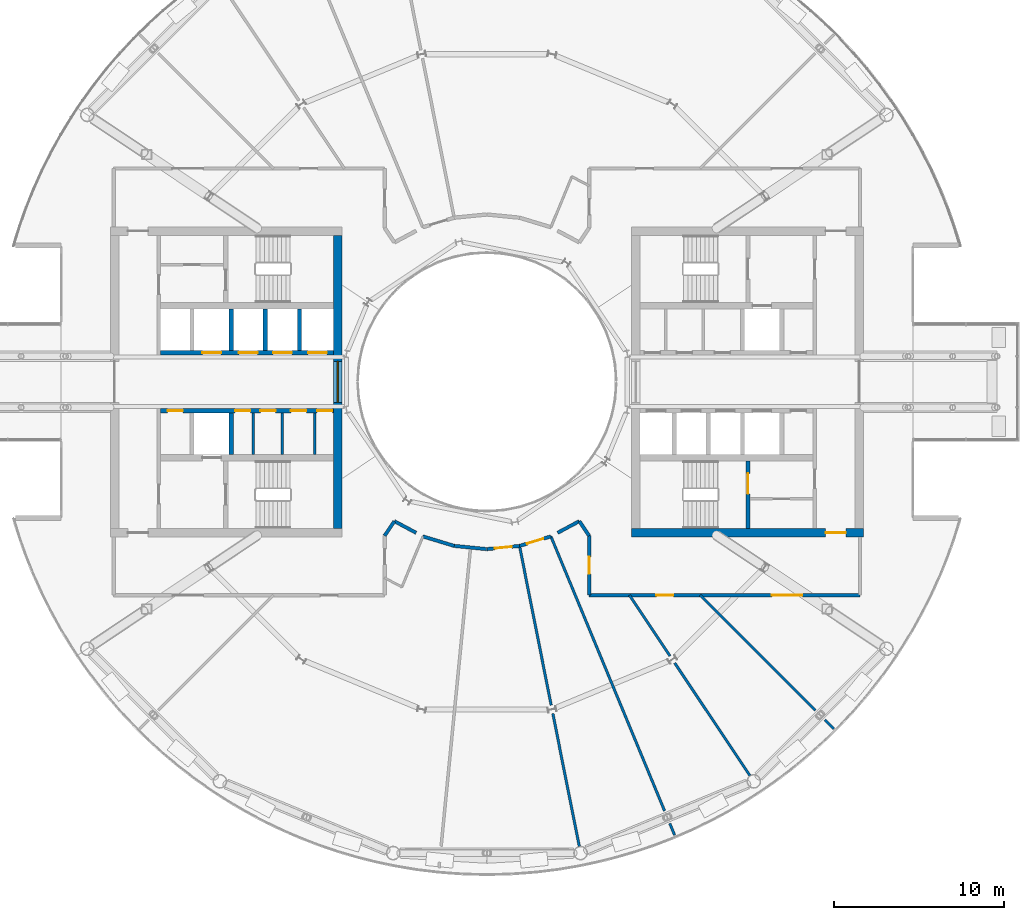
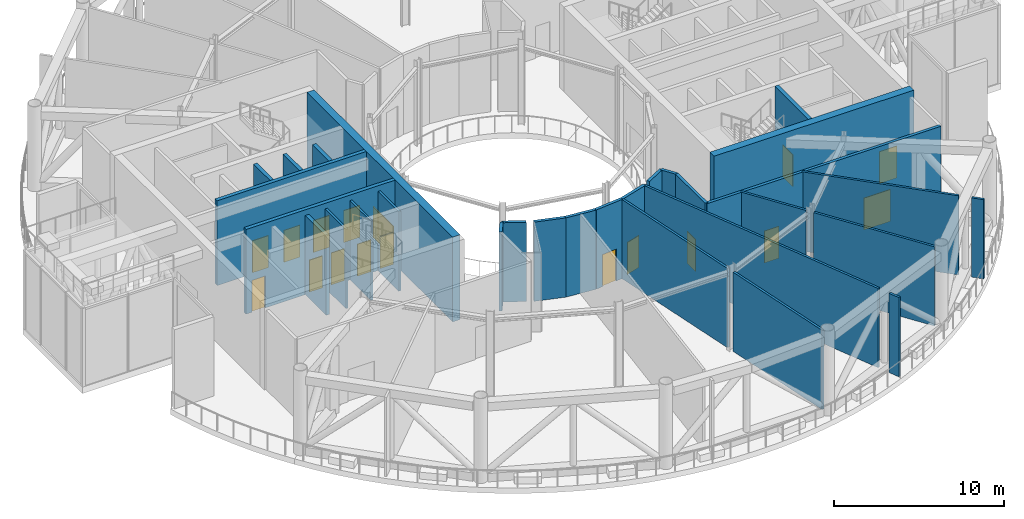
# One storey, part 13 of 24: 30 walls, 16 doors, 1 window, 17 openings.
"""IFC4 building model written with IfcOpenShell, lengths in metres."""

import ifcopenshell
import ifcopenshell.guid

model = None  # the IFC model being written
_history = None  # IfcOwnerHistory: only IFC2X3 demands one
_inside = {}  # id of a spatial element -> (the spatial element, [elements in it])
_under = {}  # id of a project, library or spatial element -> (it, [spatial elements below it])
_declared = {}  # id of a project -> (the project, [libraries it declares])
_typed = {}  # id of a type object -> (the type object, [elements of that type])
_made_of = {}  # id of a material, layer set ... -> (it, [elements and type objects made of it])


def new_model(schema):
    """Start an empty IFC model of exactly this schema.

    Asked for "IFC4X3", IfcOpenShell would pick the latest addendum, in which some entities
    have other attributes; the version numbers below select the first issue.
    IFC2X3 requires an IfcOwnerHistory on every rooted entity: one is made here for all.
    """
    global model, _history
    if schema == "IFC4X3":
        model = ifcopenshell.file(schema_version=(4, 3, 0, 0))
    else:
        model = ifcopenshell.file(schema=schema)
    _inside.clear()
    _under.clear()
    _declared.clear()
    _typed.clear()
    _made_of.clear()
    _history = None
    if model.schema == "IFC2X3":
        org = make("IfcOrganization", Name="unknown")
        user = make(
            "IfcPersonAndOrganization",
            ThePerson=make("IfcPerson", FamilyName="unknown"),
            TheOrganization=org,
        )
        app = make(
            "IfcApplication",
            ApplicationDeveloper=org,
            Version="unknown",
            ApplicationFullName="unknown",
            ApplicationIdentifier="unknown",
        )
        _history = make(
            "IfcOwnerHistory",
            OwningUser=user,
            OwningApplication=app,
            ChangeAction="ADDED",
            CreationDate=0,
        )
    return model


def make(cls, **values):
    """One entity of the class cls with the attributes given. An attribute that is None is left unset."""
    return model.create_entity(
        cls, **{name: value for name, value in values.items() if value is not None}
    )


def rooted(cls, **values):
    """An entity with a GlobalId (a new one), such as an element, a storey or a relation."""
    return make(cls, GlobalId=ifcopenshell.guid.new(), OwnerHistory=_history, **values)


def si_unit(unit_type, name, prefix=None):
    """IfcSIUnit, for example si_unit("LENGTHUNIT", "METRE", prefix="MILLI")."""
    return make("IfcSIUnit", UnitType=unit_type, Prefix=prefix, Name=name)


def assignment(units):
    """IfcUnitAssignment: the units of a project."""
    return None if units is None else make("IfcUnitAssignment", Units=units)


def point(xyz):
    """IfcCartesianPoint."""
    return None if xyz is None else make("IfcCartesianPoint", Coordinates=xyz)


def direction(xyz):
    """IfcDirection."""
    return None if xyz is None else make("IfcDirection", DirectionRatios=xyz)


def frame(location, z_axis=None, x_axis=None):
    """IfcAxis2Placement3D, a coordinate frame: its origin and axes. An axis left out is left unset."""
    return make(
        "IfcAxis2Placement3D",
        Location=point(location),
        Axis=direction(z_axis),
        RefDirection=direction(x_axis),
    )


def frame_2d(location, x_axis=None):
    """IfcAxis2Placement2D, a coordinate frame in the plane: its origin and x axis."""
    return make(
        "IfcAxis2Placement2D", Location=point(location), RefDirection=direction(x_axis)
    )


def origin():
    """The frame at (0, 0, 0) with its axes left unset."""
    return frame((0.0, 0.0, 0.0))


def place(relative_to, where):
    """IfcLocalPlacement: puts the frame where relative to a parent placement (None: the world)."""
    return make(
        "IfcLocalPlacement", PlacementRelTo=relative_to, RelativePlacement=where
    )


def context(
    kind, dimensions, precision=None, world=None, true_north=None, identifier=None
):
    """IfcGeometricRepresentationContext, for example the 3D "Model" context."""
    return make(
        "IfcGeometricRepresentationContext",
        ContextIdentifier=identifier,
        ContextType=kind,
        CoordinateSpaceDimension=dimensions,
        Precision=precision,
        WorldCoordinateSystem=world,
        TrueNorth=true_north,
    )


def subcontext(parent, identifier, kind, view, scale=None):
    """IfcGeometricRepresentationSubContext, for example "Body" below "Model"."""
    return make(
        "IfcGeometricRepresentationSubContext",
        ContextIdentifier=identifier,
        ContextType=kind,
        ParentContext=parent,
        TargetScale=scale,
        TargetView=view,
    )


def project(units=None, contexts=None):
    """IfcProject with its units and contexts."""
    return rooted(
        "IfcProject",
        Name="project",
        RepresentationContexts=contexts,
        UnitsInContext=assignment(units),
    )


def spatial(cls, under=None, at=None, **own):
    """A site, building, storey or space (cls), placed at a placement, below another one or the project."""
    s = rooted(cls, ObjectPlacement=at, **own)
    if under is not None:
        _under.setdefault(under.id(), (under, []))[1].append(s)
    return s


def profile(cls, at=None, kind="AREA", **sizes):
    """A parametric profile (cls). Its sizes go by their IFC names, for example OverallWidth=200.0."""
    return make(cls, ProfileType=kind, Position=at, **sizes)


def rectangle(**sizes):
    """IfcRectangleProfileDef."""
    return profile("IfcRectangleProfileDef", **sizes)


def extrude(swept, where, along, depth):
    """IfcExtrudedAreaSolid: the profile swept, set in the frame where, extruded along a direction by depth."""
    return make(
        "IfcExtrudedAreaSolid",
        SweptArea=swept,
        Position=where,
        ExtrudedDirection=direction(along),
        Depth=depth,
    )


def shape(context_of_items, identifier, shape_type, items):
    """IfcShapeRepresentation: the items that make up one representation, for example the "Body"."""
    return make(
        "IfcShapeRepresentation",
        ContextOfItems=context_of_items,
        RepresentationIdentifier=identifier,
        RepresentationType=shape_type,
        Items=items,
    )


def material(Name=None, Category=None):
    """IfcMaterial."""
    return make("IfcMaterial", Name=Name, Category=Category)


def layer(
    of_material, thickness, ventilated=None, Name=None, Category=None, Priority=None
):
    """IfcMaterialLayer: one layer of a wall or slab, of a material (None: an air gap)."""
    return make(
        "IfcMaterialLayer",
        Material=of_material,
        LayerThickness=thickness,
        IsVentilated=ventilated,
        Name=Name,
        Category=Category,
        Priority=Priority,
    )


def layer_set(layers, Name=None):
    """IfcMaterialLayerSet."""
    return make("IfcMaterialLayerSet", MaterialLayers=layers, LayerSetName=Name)


def made_of(thing, what):
    """Note that an element or type object is made of a material, layer set ...; save() writes the relation."""
    if what is not None:
        _made_of.setdefault(what.id(), (what, []))[1].append(thing)
    return thing


def type_object(cls, material=None, **own):
    """A type object (cls), such as IfcWallType, which elements share."""
    return made_of(rooted(cls, **own), material)


def element(
    cls,
    number,
    at=None,
    inside=None,
    cuts=None,
    type_object=None,
    material=None,
    context=None,
    identifier="Body",
    shape_type=None,
    held_by="IfcProductDefinitionShape",
    body=None,
    shapes=None,
    **own,
):
    """One element of the class cls, such as IfcWall. Its Tag is "e" and its number.

    at: its placement. inside: the storey or other place that contains it. cuts: it is an
    opening in that element (IfcRelVoidsElement). A single representation is given by context,
    identifier, shape_type and body (its items); several are given by shapes. held_by: the class
    of the entity that holds the representations. save() writes the other relations.
    """
    e = rooted(cls, Tag="e%d" % number, ObjectPlacement=at, **own)
    if body is not None:
        shapes = [shape(context, identifier, shape_type, body)]
    if shapes is not None:
        e.Representation = make(held_by, Representations=shapes)
    if inside is not None:
        _inside.setdefault(inside.id(), (inside, []))[1].append(e)
    if cuts is not None:
        rooted(
            "IfcRelVoidsElement", RelatingBuildingElement=cuts, RelatedOpeningElement=e
        )
    if type_object is not None:
        _typed.setdefault(type_object.id(), (type_object, []))[1].append(e)
    return made_of(e, material)


def fill(opening, filler):
    """IfcRelFillsElement: the door or window that sits in an opening."""
    return rooted(
        "IfcRelFillsElement",
        RelatingOpeningElement=opening,
        RelatedBuildingElement=filler,
    )


def aggregate(whole, parts):
    """IfcRelAggregates: a whole, such as a stair, and the parts it consists of."""
    return rooted("IfcRelAggregates", RelatingObject=whole, RelatedObjects=parts)


def save(model, path):
    """Write the relations noted so far, then the file.

    IfcRelAggregates (storeys below a building ...), IfcRelContainedInSpatialStructure (elements
    in a storey), IfcRelDefinesByType, IfcRelAssociatesMaterial and IfcRelDeclares: one each for
    every whole, place, type object, material and project.
    """
    for whole, parts in _under.values():
        aggregate(whole, parts)
    for where, things in _inside.values():
        rooted(
            "IfcRelContainedInSpatialStructure",
            RelatedElements=things,
            RelatingStructure=where,
        )
    for kind, things in _typed.values():
        rooted("IfcRelDefinesByType", RelatedObjects=things, RelatingType=kind)
    for what, things in _made_of.values():
        rooted("IfcRelAssociatesMaterial", RelatedObjects=things, RelatingMaterial=what)
    for by, libraries in _declared.values():
        rooted("IfcRelDeclares", RelatingContext=by, RelatedDefinitions=libraries)
    model.write(path)


model = new_model("IFC4")

# Units and contexts
model_context = context("Model", 3, precision=1e-05, world=origin(), true_north=direction((0.0, 1.0)))
body_context = subcontext(model_context, "Body", "Model", "MODEL_VIEW")
ifc_project = project(units=[si_unit("LENGTHUNIT", "METRE"), si_unit("AREAUNIT", "SQUARE_METRE"), si_unit("VOLUMEUNIT", "CUBIC_METRE"), si_unit("PLANEANGLEUNIT", "RADIAN"), si_unit("MASSUNIT", "GRAM", prefix="KILO")], contexts=[model_context])

# Site, building, storey
site_placement = place(None, origin())
site = spatial("IfcSite", under=ifc_project, at=site_placement, CompositionType="ELEMENT")
building_placement = place(site_placement, origin())
building = spatial("IfcBuilding", under=site, at=building_placement, Name="Maasbend Ring Residences", CompositionType="ELEMENT")
storey_placement = place(building_placement, frame((0.0, 0.0, 179.89990234375)))
storey = spatial("IfcBuildingStorey", under=building, at=storey_placement, Name="L52", CompositionType="ELEMENT", Elevation=179.89990234375)

# Wall, opening, door
ifc_material_1 = material(Name="Concrete C60/75", Category="concrete")
ifc_layer_1 = layer(ifc_material_1, 0.25)
ifc_layer_set_1 = layer_set([ifc_layer_1], Name="Concrete C60/75")
wall_type_1 = type_object("IfcWallType", Name="CORE WALL 250 C60/75", PredefinedType="SHEAR", material=ifc_layer_set_1)
wall_1_placement = place(storey_placement, frame((15.324951171875, -8.60009765625, 0.0), z_axis=(0.0, 0.0, 1.0), x_axis=(0.0, 1.0, 0.0)))
wall_1 = element("IfcWall", 1, at=wall_1_placement, inside=storey, type_object=wall_type_1, Name="L52 core E wall STES", PredefinedType="SHEAR", context=body_context, shape_type="SweptSolid", body=[
    extrude(rectangle(XDim=3.9501953125, YDim=0.25, at=frame_2d((1.97509765625, 0.0))), origin(), (0.0, 0.0, 1.0), 6.10009765625),
])
opening_1_placement = place(wall_1_placement, frame((2.02490234375, 0.0, 0.0)))
opening_1 = element("IfcOpeningElement", 2, at=opening_1_placement, cuts=wall_1, Name="Opening D-E5213", PredefinedType="OPENING", context=body_context, shape_type="SweptSolid", body=[
    extrude(rectangle(XDim=1.199951171875, YDim=2.300048828125, at=frame_2d((0.60009765625, 1.14990234375))), frame((0.0, 0.135009765625, 0.0), z_axis=(0.0, -1.0, 0.0), x_axis=(1.0, 0.0, 0.0)), (0.0, 0.0, 1.0), 0.27001953125),
])
ifc_material_2 = material(Name="Steel, powder coated", Category="steel")
door_type_1 = type_object("IfcDoorType", Name="STAIR DOOR 1200 X 2300 FD60", OperationType="NOTDEFINED", PredefinedType="DOOR", material=ifc_material_2)
door_1_placement = place(opening_1_placement, origin())
door_1 = element("IfcDoor", 3, at=door_1_placement, inside=storey, type_object=door_type_1, Name="Stair door ST-E L52", OperationType="SINGLE_SWING_LEFT", OverallHeight=2.300048828125, OverallWidth=1.199951171875, PredefinedType="DOOR", context=body_context, shape_type="SweptSolid", body=[
    extrude(rectangle(XDim=1.199951171875, YDim=2.300048828125, at=frame_2d((0.60009765625, 1.14990234375))), frame((0.0, 0.02490234375, 0.0), z_axis=(0.0, -1.0, 0.0), x_axis=(1.0, 0.0, 0.0)), (0.0, 0.0, 1.0), 0.050048828125),
])
fill(opening_1, door_1)

# Wall, openings, doors
wall_2_placement = place(storey_placement, frame((-9.0, -1.699951171875, 0.0), z_axis=(0.0, 0.0, 1.0), x_axis=(-1.0, 0.0, 0.0)))
wall_2 = element("IfcWall", 4, at=wall_2_placement, inside=storey, type_object=wall_type_1, Name="L52 core W wall SPN", PredefinedType="SHEAR", context=body_context, shape_type="SweptSolid", body=[
    extrude(rectangle(XDim=10.14990234375, YDim=0.25, at=frame_2d((5.074951171875, 0.0))), origin(), (0.0, 0.0, 1.0), 6.10009765625),
])
opening_2_placement = place(wall_2_placement, frame((0.0625, 0.0, 0.0)))
opening_2 = element("IfcOpeningElement", 5, at=opening_2_placement, cuts=wall_2, Name="Opening D-W5206", PredefinedType="OPENING", context=body_context, shape_type="SweptSolid", body=[
    extrude(rectangle(XDim=0.89990234375, YDim=2.300048828125, at=frame_2d((0.449951171875, 1.14990234375))), frame((0.0, 0.135009765625, 0.0), z_axis=(0.0, -1.0, 0.0), x_axis=(1.0, 0.0, 0.0)), (0.0, 0.0, 1.0), 0.27001953125),
])
opening_3_placement = place(wall_2_placement, frame((1.60009765625, 0.0, 0.0)))
opening_3 = element("IfcOpeningElement", 6, at=opening_3_placement, cuts=wall_2, Name="Opening D-W5207", PredefinedType="OPENING", context=body_context, shape_type="SweptSolid", body=[
    extrude(rectangle(XDim=0.89990234375, YDim=2.300048828125, at=frame_2d((0.449951171875, 1.14990234375))), frame((0.0, 0.135009765625, 0.0), z_axis=(0.0, -1.0, 0.0), x_axis=(1.0, 0.0, 0.0)), (0.0, 0.0, 1.0), 0.27001953125),
])
opening_4_placement = place(wall_2_placement, frame((3.39990234375, 0.0, 0.0)))
opening_4 = element("IfcOpeningElement", 7, at=opening_4_placement, cuts=wall_2, Name="Opening D-W5208", PredefinedType="OPENING", context=body_context, shape_type="SweptSolid", body=[
    extrude(rectangle(XDim=0.89990234375, YDim=2.300048828125, at=frame_2d((0.449951171875, 1.14990234375))), frame((0.0, 0.135009765625, 0.0), z_axis=(0.0, -1.0, 0.0), x_axis=(1.0, 0.0, 0.0)), (0.0, 0.0, 1.0), 0.27001953125),
])
opening_5_placement = place(wall_2_placement, frame((4.875, 0.0, 0.0)))
opening_5 = element("IfcOpeningElement", 8, at=opening_5_placement, cuts=wall_2, Name="Opening D-W5209", PredefinedType="OPENING", context=body_context, shape_type="SweptSolid", body=[
    extrude(rectangle(XDim=0.89990234375, YDim=2.300048828125, at=frame_2d((0.449951171875, 1.14990234375))), frame((0.0, 0.135009765625, 0.0), z_axis=(0.0, -1.0, 0.0), x_axis=(1.0, 0.0, 0.0)), (0.0, 0.0, 1.0), 0.27001953125),
])
opening_6_placement = place(wall_2_placement, frame((8.83740234375, 0.0, 0.0)))
opening_6 = element("IfcOpeningElement", 9, at=opening_6_placement, cuts=wall_2, Name="Opening D-W5210", PredefinedType="OPENING", context=body_context, shape_type="SweptSolid", body=[
    extrude(rectangle(XDim=0.89990234375, YDim=2.300048828125, at=frame_2d((0.449951171875, 1.14990234375))), frame((0.0, 0.135009765625, 0.0), z_axis=(0.0, -1.0, 0.0), x_axis=(1.0, 0.0, 0.0)), (0.0, 0.0, 1.0), 0.27001953125),
])
ifc_material_3 = material(Name="Steel, powder coated", Category="steel")
door_type_2 = type_object("IfcDoorType", Name="ROOM DOOR 900 X 2300 FD30S", OperationType="NOTDEFINED", PredefinedType="DOOR", material=ifc_material_3)
door_2_placement = place(opening_2_placement, origin())
door_2 = element("IfcDoor", 10, at=door_2_placement, inside=storey, type_object=door_type_2, Name="Room door L52", OperationType="SINGLE_SWING_RIGHT", OverallHeight=2.300048828125, OverallWidth=0.89990234375, PredefinedType="DOOR", context=body_context, shape_type="SweptSolid", body=[
    extrude(rectangle(XDim=0.89990234375, YDim=2.300048828125, at=frame_2d((0.449951171875, 1.14990234375))), frame((0.0, 0.02490234375, 0.0), z_axis=(0.0, -1.0, 0.0), x_axis=(1.0, 0.0, 0.0)), (0.0, 0.0, 1.0), 0.050048828125),
])
fill(opening_2, door_2)
door_3_placement = place(opening_3_placement, origin())
door_3 = element("IfcDoor", 11, at=door_3_placement, inside=storey, type_object=door_type_2, Name="Room door L52", OperationType="SINGLE_SWING_RIGHT", OverallHeight=2.300048828125, OverallWidth=0.89990234375, PredefinedType="DOOR", context=body_context, shape_type="SweptSolid", body=[
    extrude(rectangle(XDim=0.89990234375, YDim=2.300048828125, at=frame_2d((0.449951171875, 1.14990234375))), frame((0.0, 0.02490234375, 0.0), z_axis=(0.0, -1.0, 0.0), x_axis=(1.0, 0.0, 0.0)), (0.0, 0.0, 1.0), 0.050048828125),
])
fill(opening_3, door_3)
door_4_placement = place(opening_4_placement, origin())
door_4 = element("IfcDoor", 12, at=door_4_placement, inside=storey, type_object=door_type_2, Name="Room door L52", OperationType="SINGLE_SWING_RIGHT", OverallHeight=2.300048828125, OverallWidth=0.89990234375, PredefinedType="DOOR", context=body_context, shape_type="SweptSolid", body=[
    extrude(rectangle(XDim=0.89990234375, YDim=2.300048828125, at=frame_2d((0.449951171875, 1.14990234375))), frame((0.0, 0.02490234375, 0.0), z_axis=(0.0, -1.0, 0.0), x_axis=(1.0, 0.0, 0.0)), (0.0, 0.0, 1.0), 0.050048828125),
])
fill(opening_4, door_4)
door_5_placement = place(opening_5_placement, origin())
door_5 = element("IfcDoor", 13, at=door_5_placement, inside=storey, type_object=door_type_2, Name="Room door L52", OperationType="SINGLE_SWING_LEFT", OverallHeight=2.300048828125, OverallWidth=0.89990234375, PredefinedType="DOOR", context=body_context, shape_type="SweptSolid", body=[
    extrude(rectangle(XDim=0.89990234375, YDim=2.300048828125, at=frame_2d((0.449951171875, 1.14990234375))), frame((0.0, 0.02490234375, 0.0), z_axis=(0.0, -1.0, 0.0), x_axis=(1.0, 0.0, 0.0)), (0.0, 0.0, 1.0), 0.050048828125),
])
fill(opening_5, door_5)
door_6_placement = place(opening_6_placement, origin())
door_6 = element("IfcDoor", 14, at=door_6_placement, inside=storey, type_object=door_type_2, Name="Room door L52", OperationType="SINGLE_SWING_LEFT", OverallHeight=2.300048828125, OverallWidth=0.89990234375, PredefinedType="DOOR", context=body_context, shape_type="SweptSolid", body=[
    extrude(rectangle(XDim=0.89990234375, YDim=2.300048828125, at=frame_2d((0.449951171875, 1.14990234375))), frame((0.0, 0.02490234375, 0.0), z_axis=(0.0, -1.0, 0.0), x_axis=(1.0, 0.0, 0.0)), (0.0, 0.0, 1.0), 0.050048828125),
])
fill(opening_6, door_6)

wall_3_placement = place(storey_placement, frame((-9.0, 1.699951171875, 0.0), z_axis=(0.0, 0.0, 1.0), x_axis=(-1.0, 0.0, 0.0)))
wall_3 = element("IfcWall", 15, at=wall_3_placement, inside=storey, type_object=wall_type_1, Name="L52 core W wall SPS", PredefinedType="SHEAR", context=body_context, shape_type="SweptSolid", body=[
    extrude(rectangle(XDim=10.14990234375, YDim=0.25, at=frame_2d((5.074951171875, 0.0))), origin(), (0.0, 0.0, 1.0), 6.10009765625),
])
opening_7_placement = place(wall_3_placement, frame((0.387451171875, 0.0, 0.0)))
opening_7 = element("IfcOpeningElement", 16, at=opening_7_placement, cuts=wall_3, Name="Opening LD-W5202", PredefinedType="OPENING", context=body_context, shape_type="SweptSolid", body=[
    extrude(rectangle(XDim=1.10009765625, YDim=2.300048828125, at=frame_2d((0.550048828125, 1.14990234375))), frame((0.0, 0.135009765625, 0.0), z_axis=(0.0, -1.0, 0.0), x_axis=(1.0, 0.0, 0.0)), (0.0, 0.0, 1.0), 0.27001953125),
])
opening_8_placement = place(wall_3_placement, frame((2.449951171875, 0.0, 0.0)))
opening_8 = element("IfcOpeningElement", 17, at=opening_8_placement, cuts=wall_3, Name="Opening LD-W5203", PredefinedType="OPENING", context=body_context, shape_type="SweptSolid", body=[
    extrude(rectangle(XDim=1.10009765625, YDim=2.300048828125, at=frame_2d((0.550048828125, 1.14990234375))), frame((0.0, 0.135009765625, 0.0), z_axis=(0.0, -1.0, 0.0), x_axis=(1.0, 0.0, 0.0)), (0.0, 0.0, 1.0), 0.27001953125),
])
opening_9_placement = place(wall_3_placement, frame((4.449951171875, 0.0, 0.0)))
opening_9 = element("IfcOpeningElement", 18, at=opening_9_placement, cuts=wall_3, Name="Opening LD-W5204", PredefinedType="OPENING", context=body_context, shape_type="SweptSolid", body=[
    extrude(rectangle(XDim=1.10009765625, YDim=2.300048828125, at=frame_2d((0.550048828125, 1.14990234375))), frame((0.0, 0.135009765625, 0.0), z_axis=(0.0, -1.0, 0.0), x_axis=(1.0, 0.0, 0.0)), (0.0, 0.0, 1.0), 0.27001953125),
])
opening_10_placement = place(wall_3_placement, frame((6.60009765625, 0.0, 0.0)))
opening_10 = element("IfcOpeningElement", 19, at=opening_10_placement, cuts=wall_3, Name="Opening LD-W5205", PredefinedType="OPENING", context=body_context, shape_type="SweptSolid", body=[
    extrude(rectangle(XDim=1.10009765625, YDim=2.300048828125, at=frame_2d((0.550048828125, 1.14990234375))), frame((0.0, 0.135009765625, 0.0), z_axis=(0.0, -1.0, 0.0), x_axis=(1.0, 0.0, 0.0)), (0.0, 0.0, 1.0), 0.27001953125),
])
ifc_material_4 = material(Name="Stainless steel 316", Category="steel")
door_type_3 = type_object("IfcDoorType", Name="LANDING DOOR 1100 X 2300 FD60", OperationType="DOUBLE_DOOR_SLIDING", PredefinedType="DOOR", material=ifc_material_4)
door_7_placement = place(opening_7_placement, origin())
door_7 = element("IfcDoor", 20, at=door_7_placement, inside=storey, type_object=door_type_3, Name="Landing door HR-W1 L52", OperationType="DOUBLE_DOOR_SLIDING", OverallHeight=2.300048828125, OverallWidth=1.10009765625, PredefinedType="DOOR", context=body_context, shape_type="SweptSolid", body=[
    extrude(rectangle(XDim=1.10009765625, YDim=2.300048828125, at=frame_2d((0.550048828125, 1.14990234375))), frame((0.0, 0.02490234375, 0.0), z_axis=(0.0, -1.0, 0.0), x_axis=(1.0, 0.0, 0.0)), (0.0, 0.0, 1.0), 0.050048828125),
])
fill(opening_7, door_7)
door_8_placement = place(opening_8_placement, origin())
door_8 = element("IfcDoor", 21, at=door_8_placement, inside=storey, type_object=door_type_3, Name="Landing door HR-W2 L52", OperationType="DOUBLE_DOOR_SLIDING", OverallHeight=2.300048828125, OverallWidth=1.10009765625, PredefinedType="DOOR", context=body_context, shape_type="SweptSolid", body=[
    extrude(rectangle(XDim=1.10009765625, YDim=2.300048828125, at=frame_2d((0.550048828125, 1.14990234375))), frame((0.0, 0.02490234375, 0.0), z_axis=(0.0, -1.0, 0.0), x_axis=(1.0, 0.0, 0.0)), (0.0, 0.0, 1.0), 0.050048828125),
])
fill(opening_8, door_8)
door_9_placement = place(opening_9_placement, origin())
door_9 = element("IfcDoor", 22, at=door_9_placement, inside=storey, type_object=door_type_3, Name="Landing door HR-W3 L52", OperationType="DOUBLE_DOOR_SLIDING", OverallHeight=2.300048828125, OverallWidth=1.10009765625, PredefinedType="DOOR", context=body_context, shape_type="SweptSolid", body=[
    extrude(rectangle(XDim=1.10009765625, YDim=2.300048828125, at=frame_2d((0.550048828125, 1.14990234375))), frame((0.0, 0.02490234375, 0.0), z_axis=(0.0, -1.0, 0.0), x_axis=(1.0, 0.0, 0.0)), (0.0, 0.0, 1.0), 0.050048828125),
])
fill(opening_9, door_9)
door_10_placement = place(opening_10_placement, origin())
door_10 = element("IfcDoor", 23, at=door_10_placement, inside=storey, type_object=door_type_3, Name="Landing door SV-W L52", OperationType="DOUBLE_DOOR_SLIDING", OverallHeight=2.300048828125, OverallWidth=1.10009765625, PredefinedType="DOOR", context=body_context, shape_type="SweptSolid", body=[
    extrude(rectangle(XDim=1.10009765625, YDim=2.300048828125, at=frame_2d((0.550048828125, 1.14990234375))), frame((0.0, 0.02490234375, 0.0), z_axis=(0.0, -1.0, 0.0), x_axis=(1.0, 0.0, 0.0)), (0.0, 0.0, 1.0), 0.050048828125),
])
fill(opening_10, door_10)

# Wall, opening, door
ifc_material_5 = material(Name="Concrete C60/75", Category="concrete")
ifc_layer_2 = layer(ifc_material_5, 0.5)
ifc_layer_set_2 = layer_set([ifc_layer_2], Name="Concrete C60/75")
wall_type_2 = type_object("IfcWallType", Name="CORE WALL 500 C60/75", PredefinedType="SHEAR", material=ifc_layer_set_2)
wall_4_placement = place(storey_placement, frame((8.5, -8.85009765625, 0.0), z_axis=(0.0, 0.0, 1.0), x_axis=(1.0, 0.0, 0.0)))
wall_4 = element("IfcWall", 24, at=wall_4_placement, inside=storey, type_object=wall_type_2, Name="L52 core E wall PS", PredefinedType="SHEAR", context=body_context, shape_type="SweptSolid", body=[
    extrude(rectangle(XDim=13.60009765625, YDim=0.5, at=frame_2d((6.800048828125, 0.0))), origin(), (0.0, 0.0, 1.0), 6.10009765625),
])
opening_11_placement = place(wall_4_placement, frame((11.375, 0.0, 0.0)))
opening_11 = element("IfcOpeningElement", 25, at=opening_11_placement, cuts=wall_4, Name="Opening D-E5217", PredefinedType="OPENING", context=body_context, shape_type="SweptSolid", body=[
    extrude(rectangle(XDim=1.199951171875, YDim=2.300048828125, at=frame_2d((0.60009765625, 1.14990234375))), frame((0.0, 0.260009765625, 0.0), z_axis=(0.0, -1.0, 0.0), x_axis=(1.0, 0.0, 0.0)), (0.0, 0.0, 1.0), 0.52001953125),
])
ifc_material_6 = material(Name="Steel, powder coated", Category="steel")
door_type_4 = type_object("IfcDoorType", Name="CORRIDOR DOOR 1200 X 2300 FD30S", OperationType="NOTDEFINED", PredefinedType="DOOR", material=ifc_material_6)
door_11_placement = place(opening_11_placement, origin())
door_11 = element("IfcDoor", 26, at=door_11_placement, inside=storey, type_object=door_type_4, Name="Corridor door L52", OperationType="SINGLE_SWING_LEFT", OverallHeight=2.300048828125, OverallWidth=1.199951171875, PredefinedType="DOOR", context=body_context, shape_type="SweptSolid", body=[
    extrude(rectangle(XDim=1.199951171875, YDim=2.300048828125, at=frame_2d((0.60009765625, 1.14990234375))), frame((0.0, 0.02490234375, 0.0), z_axis=(0.0, -1.0, 0.0), x_axis=(1.0, 0.0, 0.0)), (0.0, 0.0, 1.0), 0.050048828125),
])
fill(opening_11, door_11)

# Wall, opening, window
wall_5_placement = place(storey_placement, frame((-8.75, 8.60009765625, 0.0), z_axis=(0.0, 0.0, 1.0), x_axis=(0.0, -1.0, 0.0)))
wall_5 = element("IfcWall", 27, at=wall_5_placement, inside=storey, type_object=wall_type_2, Name="L52 core W wall PIN", PredefinedType="SHEAR", context=body_context, shape_type="SweptSolid", body=[
    extrude(rectangle(XDim=17.2001953125, YDim=0.5, at=frame_2d((8.60009765625, 0.0))), origin(), (0.0, 0.0, 1.0), 6.10009765625),
])
opening_12_placement = place(wall_5_placement, frame((7.39990234375, 0.0, 0.10009765625)))
opening_12 = element("IfcOpeningElement", 28, at=opening_12_placement, cuts=wall_5, Name="Opening W-W5201", PredefinedType="OPENING", context=body_context, shape_type="SweptSolid", body=[
    extrude(rectangle(XDim=2.39990234375, YDim=2.199951171875, at=frame_2d((1.199951171875, 1.10009765625))), frame((0.0, 0.260009765625, 0.0), z_axis=(0.0, -1.0, 0.0), x_axis=(1.0, 0.0, 0.0)), (0.0, 0.0, 1.0), 0.52001953125),
])
ifc_material_7 = material(Name="Aluminium frame and clear glass", Category="aluminium")
window_type = type_object("IfcWindowType", Name="FIXED WINDOW 2400 X 2200", PartitioningType="SINGLE_PANEL", PredefinedType="WINDOW", material=ifc_material_7)
window_placement = place(opening_12_placement, origin())
window = element("IfcWindow", 29, at=window_placement, inside=storey, type_object=window_type, Name="Lobby window L52", OverallHeight=2.199951171875, OverallWidth=2.39990234375, PartitioningType="SINGLE_PANEL", PredefinedType="WINDOW", context=body_context, shape_type="SweptSolid", body=[
    extrude(rectangle(XDim=2.39990234375, YDim=2.199951171875, at=frame_2d((1.199951171875, 1.10009765625))), frame((0.0, 0.030029296875, 0.0), z_axis=(0.0, -1.0, 0.0), x_axis=(1.0, 0.0, 0.0)), (0.0, 0.0, 1.0), 0.06005859375),
])
fill(opening_12, window)

# Wall, openings, doors
ifc_material_8 = material(Name="Concrete C30/37", Category="concrete")
ifc_layer_3 = layer(ifc_material_8, 0.199951171875)
ifc_layer_set_3 = layer_set([ifc_layer_3], Name="Concrete C30/37")
wall_type_3 = type_object("IfcWallType", Name="CORRIDOR WALL 200 CONCRETE", PredefinedType="PARTITIONING", material=ifc_layer_set_3)
wall_6_placement = place(storey_placement, frame((6.0, -12.52001953125, 0.0), z_axis=(0.0, 0.0, 1.0), x_axis=(1.0, 0.0, 0.0)))
wall_6 = element("IfcWall", 30, at=wall_6_placement, inside=storey, type_object=wall_type_3, Name="U-L52-w005", PredefinedType="PARTITIONING", context=body_context, shape_type="SweptSolid", body=[
    extrude(rectangle(XDim=15.89990234375, YDim=0.199951171875, at=frame_2d((7.949951171875, 0.0))), origin(), (0.0, 0.0, 1.0), 5.7001953125),
])
opening_13_placement = place(wall_6_placement, frame((3.943115234375, 0.0, 0.0)))
opening_13 = element("IfcOpeningElement", 31, at=opening_13_placement, cuts=wall_6, Name="Opening D-5210", PredefinedType="OPENING", context=body_context, shape_type="SweptSolid", body=[
    extrude(rectangle(XDim=1.0, YDim=2.300048828125, at=frame_2d((0.5, 1.14990234375))), frame((0.0, 0.10986328125, 0.0), z_axis=(0.0, -1.0, 0.0), x_axis=(1.0, 0.0, 0.0)), (0.0, 0.0, 1.0), 0.219970703125),
])
opening_14_placement = place(wall_6_placement, frame((10.719970703125, 0.0, 0.0)))
opening_14 = element("IfcOpeningElement", 32, at=opening_14_placement, cuts=wall_6, Name="Opening D-5215", PredefinedType="OPENING", context=body_context, shape_type="SweptSolid", body=[
    extrude(rectangle(XDim=1.800048828125, YDim=2.300048828125, at=frame_2d((0.89990234375, 1.14990234375))), frame((0.0, 0.10986328125, 0.0), z_axis=(0.0, -1.0, 0.0), x_axis=(1.0, 0.0, 0.0)), (0.0, 0.0, 1.0), 0.219970703125),
])
ifc_material_9 = material(Name="Timber, painted", Category="wood")
door_type_5 = type_object("IfcDoorType", Name="DOUBLE DOOR 1800 X 2300", OperationType="NOTDEFINED", PredefinedType="DOOR", material=ifc_material_9)
door_12_placement = place(opening_14_placement, origin())
door_12 = element("IfcDoor", 33, at=door_12_placement, inside=storey, type_object=door_type_5, Name="D-5215", OperationType="DOUBLE_DOOR_SINGLE_SWING", OverallHeight=2.300048828125, OverallWidth=1.800048828125, PredefinedType="DOOR", context=body_context, shape_type="SweptSolid", body=[
    extrude(rectangle(XDim=1.800048828125, YDim=2.300048828125, at=frame_2d((0.89990234375, 1.14990234375))), frame((0.0, 0.02490234375, 0.0), z_axis=(0.0, -1.0, 0.0), x_axis=(1.0, 0.0, 0.0)), (0.0, 0.0, 1.0), 0.050048828125),
])
fill(opening_14, door_12)
ifc_material_10 = material(Name="Timber, painted", Category="wood")
door_type_6 = type_object("IfcDoorType", Name="ROOM DOOR 1000 X 2300", OperationType="NOTDEFINED", PredefinedType="DOOR", material=ifc_material_10)
door_13_placement = place(opening_13_placement, origin())
door_13 = element("IfcDoor", 34, at=door_13_placement, inside=storey, type_object=door_type_6, Name="D-5210", OperationType="SINGLE_SWING_LEFT", OverallHeight=2.300048828125, OverallWidth=1.0, PredefinedType="DOOR", context=body_context, shape_type="SweptSolid", body=[
    extrude(rectangle(XDim=1.0, YDim=2.300048828125, at=frame_2d((0.5, 1.14990234375))), frame((0.0, 0.02490234375, 0.0), z_axis=(0.0, -1.0, 0.0), x_axis=(1.0, 0.0, 0.0)), (0.0, 0.0, 1.0), 0.050048828125),
])
fill(opening_13, door_13)

# Walls
wall_7_placement = place(storey_placement, frame((-5.428955078125, -8.178955078125, 0.0), z_axis=(0.0, 0.0, 1.0), x_axis=(0.881652665802, -0.471898905364, 0.0)))
element("IfcWall", 35, at=wall_7_placement, inside=storey, type_object=wall_type_3, Name="U-L52-w006", PredefinedType="PARTITIONING", context=body_context, shape_type="SweptSolid", body=[
    extrude(rectangle(XDim=1.44970703125, YDim=0.199951171875, at=frame_2d((0.724853515625, 0.0))), origin(), (0.0, 0.0, 1.0), 5.7001953125),
])
wall_8_placement = place(storey_placement, frame((-3.758056640625, -9.072021484375, 0.0), z_axis=(0.0, 0.0, 1.0), x_axis=(0.956896312675, -0.29042976223, 0.0)))
element("IfcWall", 36, at=wall_8_placement, inside=storey, type_object=wall_type_3, Name="U-L52-w007", PredefinedType="PARTITIONING", context=body_context, shape_type="SweptSolid", body=[
    extrude(rectangle(XDim=1.925048828125, YDim=0.199951171875, at=frame_2d((0.96240234375, 0.0))), origin(), (0.0, 0.0, 1.0), 5.7001953125),
])
wall_9_placement = place(storey_placement, frame((-1.928955078125, -9.62890625, 0.0), z_axis=(0.0, 0.0, 1.0), x_axis=(0.995059761059, -0.09927775139, 0.0)))
element("IfcWall", 37, at=wall_9_placement, inside=storey, type_object=wall_type_3, Name="U-L52-w008", PredefinedType="PARTITIONING", context=body_context, shape_type="SweptSolid", body=[
    extrude(rectangle(XDim=1.925537109375, YDim=0.199951171875, at=frame_2d((0.962890625, 0.0))), origin(), (0.0, 0.0, 1.0), 5.7001953125),
])

# Wall, opening, door
wall_10_placement = place(storey_placement, frame((0.0, -9.820068359375, 0.0), z_axis=(0.0, 0.0, 1.0), x_axis=(0.995171860647, 0.098147683504, 0.0)))
wall_10 = element("IfcWall", 38, at=wall_10_placement, inside=storey, type_object=wall_type_3, Name="U-L52-w009", PredefinedType="PARTITIONING", context=body_context, shape_type="SweptSolid", body=[
    extrude(rectangle(XDim=1.92529296875, YDim=0.199951171875, at=frame_2d((0.962646484375, 0.0))), origin(), (0.0, 0.0, 1.0), 5.7001953125),
])
opening_15_placement = place(wall_10_placement, frame((0.462890625, 0.0, 0.0)))
opening_15 = element("IfcOpeningElement", 39, at=opening_15_placement, cuts=wall_10, Name="Opening D-5208", PredefinedType="OPENING", context=body_context, shape_type="SweptSolid", body=[
    extrude(rectangle(XDim=1.0, YDim=2.300048828125, at=frame_2d((0.5, 1.14990234375))), frame((0.0, 0.10986328125, 0.0), z_axis=(0.0, -1.0, 0.0), x_axis=(1.0, 0.0, 0.0)), (0.0, 0.0, 1.0), 0.219970703125),
])
door_14_placement = place(opening_15_placement, origin())
door_14 = element("IfcDoor", 40, at=door_14_placement, inside=storey, type_object=door_type_6, Name="D-5208", OperationType="SINGLE_SWING_LEFT", OverallHeight=2.300048828125, OverallWidth=1.0, PredefinedType="DOOR", context=body_context, shape_type="SweptSolid", body=[
    extrude(rectangle(XDim=1.0, YDim=2.300048828125, at=frame_2d((0.5, 1.14990234375))), frame((0.0, 0.02490234375, 0.0), z_axis=(0.0, -1.0, 0.0), x_axis=(1.0, 0.0, 0.0)), (0.0, 0.0, 1.0), 0.050048828125),
])
fill(opening_15, door_14)

wall_11_placement = place(storey_placement, frame((1.916015625, -9.631103515625, 0.0), z_axis=(0.0, 0.0, 1.0), x_axis=(0.956896312675, 0.29042976223, 0.0)))
wall_11 = element("IfcWall", 41, at=wall_11_placement, inside=storey, type_object=wall_type_3, Name="U-L52-w010", PredefinedType="PARTITIONING", context=body_context, shape_type="SweptSolid", body=[
    extrude(rectangle(XDim=1.925048828125, YDim=0.199951171875, at=frame_2d((0.96240234375, 0.0))), origin(), (0.0, 0.0, 1.0), 5.7001953125),
])
opening_16_placement = place(wall_11_placement, frame((0.4619140625, 0.0, 0.0)))
opening_16 = element("IfcOpeningElement", 42, at=opening_16_placement, cuts=wall_11, Name="Opening D-5214", PredefinedType="OPENING", context=body_context, shape_type="SweptSolid", body=[
    extrude(rectangle(XDim=1.0, YDim=2.300048828125, at=frame_2d((0.5, 1.14990234375))), frame((0.0, 0.10986328125, 0.0), z_axis=(0.0, -1.0, 0.0), x_axis=(1.0, 0.0, 0.0)), (0.0, 0.0, 1.0), 0.219970703125),
])
door_15_placement = place(opening_16_placement, origin())
door_15 = element("IfcDoor", 43, at=door_15_placement, inside=storey, type_object=door_type_6, Name="D-5214", OperationType="SINGLE_SWING_LEFT", OverallHeight=2.300048828125, OverallWidth=1.0, PredefinedType="DOOR", context=body_context, shape_type="SweptSolid", body=[
    extrude(rectangle(XDim=1.0, YDim=2.300048828125, at=frame_2d((0.5, 1.14990234375))), frame((0.0, 0.02490234375, 0.0), z_axis=(0.0, -1.0, 0.0), x_axis=(1.0, 0.0, 0.0)), (0.0, 0.0, 1.0), 0.050048828125),
])
fill(opening_16, door_15)

# Wall
wall_12_placement = place(storey_placement, frame((4.15087890625, -8.862060546875, 0.0), z_axis=(0.0, 0.0, 1.0), x_axis=(0.88193287619, 0.471375011954, 0.0)))
element("IfcWall", 44, at=wall_12_placement, inside=storey, type_object=wall_type_3, Name="U-L52-w011", PredefinedType="PARTITIONING", context=body_context, shape_type="SweptSolid", body=[
    extrude(rectangle(XDim=1.44921875, YDim=0.199951171875, at=frame_2d((0.724609375, 0.0))), origin(), (0.0, 0.0, 1.0), 5.7001953125),
])

# Wall, opening, door
wall_13_placement = place(storey_placement, frame((6.0, -12.52001953125, 0.0), z_axis=(0.0, 0.0, 1.0), x_axis=(0.0, 1.0, 0.0)))
wall_13 = element("IfcWall", 45, at=wall_13_placement, inside=storey, type_object=wall_type_3, Name="U-L52-w012", PredefinedType="PARTITIONING", context=body_context, shape_type="SweptSolid", body=[
    extrude(rectangle(XDim=3.486083984375, YDim=0.199951171875, at=frame_2d((1.7431640625, 0.0))), origin(), (0.0, 0.0, 1.0), 5.7001953125),
])
opening_17_placement = place(wall_13_placement, frame((1.242919921875, 0.0, 0.0)))
opening_17 = element("IfcOpeningElement", 46, at=opening_17_placement, cuts=wall_13, Name="Opening D-5209", PredefinedType="OPENING", context=body_context, shape_type="SweptSolid", body=[
    extrude(rectangle(XDim=1.0, YDim=2.300048828125, at=frame_2d((0.5, 1.14990234375))), frame((0.0, 0.10986328125, 0.0), z_axis=(0.0, -1.0, 0.0), x_axis=(1.0, 0.0, 0.0)), (0.0, 0.0, 1.0), 0.219970703125),
])
door_16_placement = place(opening_17_placement, origin())
door_16 = element("IfcDoor", 47, at=door_16_placement, inside=storey, type_object=door_type_6, Name="D-5209", OperationType="SINGLE_SWING_LEFT", OverallHeight=2.300048828125, OverallWidth=1.0, PredefinedType="DOOR", context=body_context, shape_type="SweptSolid", body=[
    extrude(rectangle(XDim=1.0, YDim=2.300048828125, at=frame_2d((0.5, 1.14990234375))), frame((0.0, 0.02490234375, 0.0), z_axis=(0.0, -1.0, 0.0), x_axis=(1.0, 0.0, 0.0)), (0.0, 0.0, 1.0), 0.050048828125),
])
fill(opening_17, door_16)

# Walls
for number, where, z_axis, x_axis, name in (
    (48, (-6.0, -9.033935546875, 0.0), (0.0, 0.0, 1.0), (0.555412364489, 0.831575075007, 0.0), "U-L52-w014"),
    (49, (5.428955078125, -8.178955078125, 0.0), (0.0, 0.0, 1.0), (0.555412364489, -0.831575075007, 0.0), "U-L52-w015"),
):
    element("IfcWall", number, at=place(storey_placement, frame(where, z_axis=z_axis, x_axis=x_axis)), inside=storey, type_object=wall_type_3, Name=name, PredefinedType="PARTITIONING", context=body_context, shape_type="SweptSolid", body=[
        extrude(rectangle(XDim=1.028076171875, YDim=0.199951171875, at=frame_2d((0.51416015625, 0.0))), origin(), (0.0, 0.0, 1.0), 5.7001953125),
    ])
ifc_material_11 = material(Name="Gypsum board on steel studs", Category="steel")
ifc_layer_4 = layer(ifc_material_11, 0.14990234375)
ifc_layer_set_4 = layer_set([ifc_layer_4], Name="PARTITION 150 EI 60")
wall_type_4 = type_object("IfcWallType", Name="PARTITION 150 EI 60", PredefinedType="PARTITIONING", material=ifc_layer_set_4)
for number, where, z_axis, x_axis, name in (
    (50, (-10.10009765625, -1.824951171875, 0.0), (0.0, 0.0, 1.0), (0.0, -1.0, 0.0), "L52 core W wall PRN1010"),
    (51, (-12.0, -1.824951171875, 0.0), (0.0, 0.0, 1.0), (0.0, -1.0, 0.0), "L52 core W wall PRN1200"),
    (52, (-13.699951171875, -1.824951171875, 0.0), (0.0, 0.0, 1.0), (0.0, -1.0, 0.0), "L52 core W wall PRN1370"),
):
    element("IfcWall", number, at=place(storey_placement, frame(where, z_axis=z_axis, x_axis=x_axis)), inside=storey, type_object=wall_type_4, Name=name, PredefinedType="PARTITIONING", context=body_context, shape_type="SweptSolid", body=[
        extrude(rectangle(XDim=2.449951171875, YDim=0.14990234375, at=frame_2d((1.22509765625, 0.0))), origin(), (0.0, 0.0, 1.0), 5.7001953125),
    ])
ifc_material_12 = material(Name="Gypsum board on steel studs", Category="steel")
ifc_layer_5 = layer(ifc_material_12, 0.14990234375)
ifc_layer_set_5 = layer_set([ifc_layer_5], Name="PARTITION 150 GYPSUM")
wall_type_5 = type_object("IfcWallType", Name="PARTITION 150 GYPSUM", PredefinedType="PARTITIONING", material=ifc_layer_set_5)
wall_14_placement = place(storey_placement, frame((1.916015625, -9.631103515625, 0.0), z_axis=(0.0, 0.0, 1.0), x_axis=(0.195056807593, -0.980791946241, 0.0)))
element("IfcWall", 53, at=wall_14_placement, inside=storey, type_object=wall_type_5, Name="U-L52-w029", PredefinedType="PARTITIONING", context=body_context, shape_type="SweptSolid", body=[
    extrude(rectangle(XDim=9.530029296875, YDim=0.14990234375, at=frame_2d((4.76513671875, 0.0))), origin(), (0.0, 0.0, 1.0), 5.7001953125),
])
wall_15_placement = place(storey_placement, frame((3.758056640625, -9.072021484375, 0.0), z_axis=(0.0, 0.0, 1.0), x_axis=(0.38265514428, -0.923891249312, 0.0)))
element("IfcWall", 54, at=wall_15_placement, inside=storey, type_object=wall_type_5, Name="U-L52-w030", PredefinedType="PARTITIONING", context=body_context, shape_type="SweptSolid", body=[
    extrude(rectangle(XDim=17.438232421875, YDim=0.14990234375, at=frame_2d((8.71923828125, 0.0))), origin(), (0.0, 0.0, 1.0), 5.7001953125),
])
wall_16_placement = place(storey_placement, frame((3.8720703125, -19.468994140625, 0.0), z_axis=(0.0, 0.0, 1.0), x_axis=(0.195194883509, -0.980764476035, 0.0)))
element("IfcWall", 55, at=wall_16_placement, inside=storey, type_object=wall_type_5, Name="U-L52-w032", PredefinedType="PARTITIONING", context=body_context, shape_type="SweptSolid", body=[
    extrude(rectangle(XDim=7.950927734375, YDim=0.14990234375, at=frame_2d((3.9755859375, 0.0))), origin(), (0.0, 0.0, 1.0), 5.7001953125),
])
wall_17_placement = place(storey_placement, frame((8.364990234375, -12.52099609375, 0.0), z_axis=(0.0, 0.0, 1.0), x_axis=(0.555448182904, -0.831551150627, 0.0)))
element("IfcWall", 56, at=wall_17_placement, inside=storey, type_object=wall_type_5, Name="U-L52-w033", PredefinedType="PARTITIONING", context=body_context, shape_type="SweptSolid", body=[
    extrude(rectangle(XDim=4.2919921875, YDim=0.14990234375, at=frame_2d((2.14599609375, 0.0))), origin(), (0.0, 0.0, 1.0), 5.7001953125),
])
wall_18_placement = place(storey_placement, frame((10.737060546875, -25.922119140625, 0.0), z_axis=(0.0, 0.0, 1.0), x_axis=(0.382535780864, -0.923940677943, 0.0)))
element("IfcWall", 57, at=wall_18_placement, inside=storey, type_object=wall_type_5, Name="U-L52-w034", PredefinedType="PARTITIONING", context=body_context, shape_type="SweptSolid", body=[
    extrude(rectangle(XDim=0.7421875, YDim=0.14990234375, at=frame_2d((0.37109375, 0.0))), origin(), (0.0, 0.0, 1.0), 5.7001953125),
])
wall_19_placement = place(storey_placement, frame((11.027099609375, -16.506103515625, 0.0), z_axis=(0.0, 0.0, 1.0), x_axis=(0.555550253025, -0.831482962161, 0.0)))
element("IfcWall", 58, at=wall_19_placement, inside=storey, type_object=wall_type_5, Name="U-L52-w035", PredefinedType="PARTITIONING", context=body_context, shape_type="SweptSolid", body=[
    extrude(rectangle(XDim=7.95068359375, YDim=0.14990234375, at=frame_2d((3.975341796875, 0.0))), origin(), (0.0, 0.0, 1.0), 5.7001953125),
])
wall_20_placement = place(storey_placement, frame((12.52001953125, -12.52001953125, 0.0), z_axis=(0.0, 0.0, 1.0), x_axis=(0.707106781187, -0.707106781187, 0.0)))
element("IfcWall", 59, at=wall_20_placement, inside=storey, type_object=wall_type_5, Name="U-L52-w036", PredefinedType="PARTITIONING", context=body_context, shape_type="SweptSolid", body=[
    extrude(rectangle(XDim=9.551513671875, YDim=0.14990234375, at=frame_2d((4.77587890625, 0.0))), origin(), (0.0, 0.0, 1.0), 5.7001953125),
])
wall_21_placement = place(storey_placement, frame((19.840087890625, -19.840087890625, 0.0), z_axis=(0.0, 0.0, 1.0), x_axis=(0.707106781187, -0.707106781187, 0.0)))
element("IfcWall", 60, at=wall_21_placement, inside=storey, type_object=wall_type_5, Name="U-L52-w038", PredefinedType="PARTITIONING", context=body_context, shape_type="SweptSolid", body=[
    extrude(rectangle(XDim=0.742431640625, YDim=0.14990234375, at=frame_2d((0.37109375, 0.0))), origin(), (0.0, 0.0, 1.0), 5.7001953125),
])
ifc_material_13 = material(Name="Concrete C30/37", Category="concrete")
ifc_layer_6 = layer(ifc_material_13, 0.25)
ifc_layer_set_6 = layer_set([ifc_layer_6], Name="Concrete C30/37")
wall_type_6 = type_object("IfcWallType", Name="SHAFT WALL 250 EI 120", PredefinedType="SOLIDWALL", material=ifc_layer_set_6)
for number, where, z_axis, x_axis, name in (
    (61, (-15.0, -1.824951171875, 0.0), (0.0, 0.0, 1.0), (0.0, -1.0, 0.0), "L52 core W wall D150N"),
    (62, (-15.0, 1.824951171875, 0.0), (0.0, 0.0, 1.0), (0.0, 1.0, 0.0), "L52 core W wall D150S"),
    (63, (-11.0, 1.824951171875, 0.0), (0.0, 0.0, 1.0), (0.0, 1.0, 0.0), "L52 core W wall D110S"),
    (64, (-13.0, 1.824951171875, 0.0), (0.0, 0.0, 1.0), (0.0, 1.0, 0.0), "L52 core W wall D130S"),
):
    element("IfcWall", number, at=place(storey_placement, frame(where, z_axis=z_axis, x_axis=x_axis)), inside=storey, type_object=wall_type_6, Name=name, PredefinedType="SOLIDWALL", context=body_context, shape_type="SweptSolid", body=[
        extrude(rectangle(XDim=2.449951171875, YDim=0.25, at=frame_2d((1.22509765625, 0.0))), origin(), (0.0, 0.0, 1.0), 5.7001953125),
    ])

save(model, "model.ifc")
